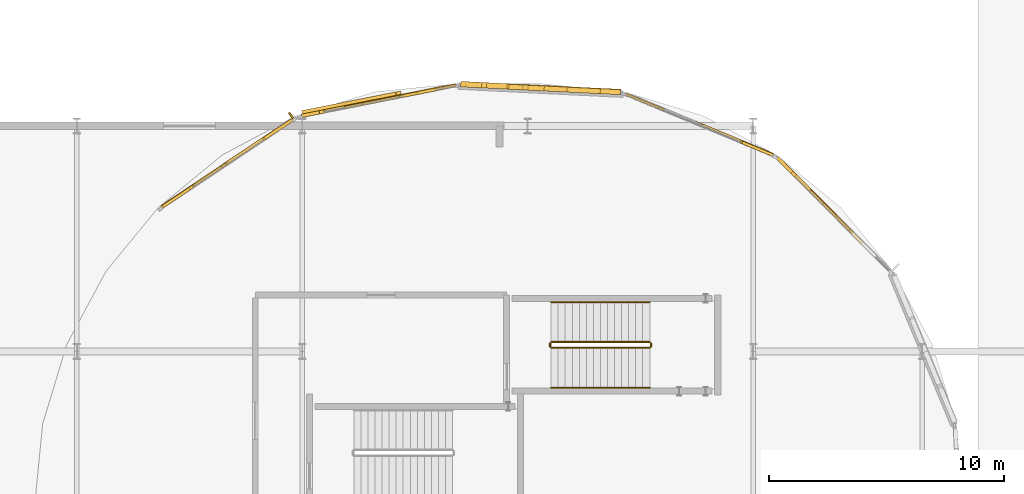
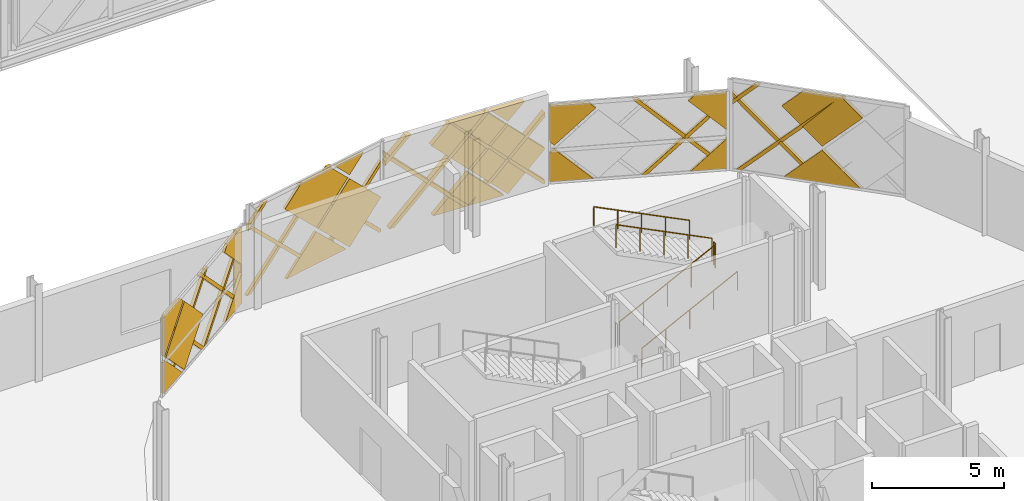
# One storey, part 97 of 101: 38 coverings, 6 railings, 1 shading device.
"""IFC4 building model written with IfcOpenShell, lengths in metres."""

from ifc_helpers import new_model, si_unit, direction, frame, origin, origin_2d, place, context, subcontext, project, spatial, polyline, rectangle, circle, outline, extrude, material, layer, layer_set, type_object, element, save


model = new_model("IFC4")

# Units and contexts
model_context = context("Model", 3, precision=1e-05, world=origin(), true_north=direction((0.0, 1.0)))
body_context = subcontext(model_context, "Body", "Model", "MODEL_VIEW")
ifc_project = project(units=[si_unit("LENGTHUNIT", "METRE"), si_unit("AREAUNIT", "SQUARE_METRE"), si_unit("VOLUMEUNIT", "CUBIC_METRE"), si_unit("PLANEANGLEUNIT", "RADIAN"), si_unit("MASSUNIT", "GRAM", prefix="KILO")], contexts=[model_context])

# Site, building, storey
site_placement = place(None, origin())
site = spatial("IfcSite", under=ifc_project, at=site_placement, CompositionType="ELEMENT")
building_placement = place(site_placement, origin())
building = spatial("IfcBuilding", under=site, at=building_placement, Name="Zevrakil Square Congress Hotel", CompositionType="ELEMENT")
storey_placement = place(building_placement, frame((0.0, 0.0, 5.39990234375)))
storey = spatial("IfcBuildingStorey", under=building, at=storey_placement, Name="L02", CompositionType="ELEMENT", Elevation=5.39990234375)

# Coverings
ifc_material_1 = material(Name="Architectural White Fibre-C GRC", Category="concrete")
ifc_layer_1 = layer(ifc_material_1, 0.06494140625)
ifc_layer_set_1 = layer_set([ifc_layer_1], Name="Architectural White Fibre-C GRC")
covering_type_1 = type_object("IfcCoveringType", Name="COV-DIA-WHITE", PredefinedType="CLADDING", material=ifc_layer_set_1)
covering_1_placement = place(storey_placement, frame((159.57470703125, 41.772705078125, 1.590087890625), z_axis=(0.707106665659, 0.707106665659, 0.000571630288), x_axis=(-0.499716692516, 0.500288319938, -0.707103121302)))
element("IfcCovering", 1, at=covering_1_placement, inside=storey, type_object=covering_type_1, Name="L02 45-degree white GRC diamond facade cassette 2025", PredefinedType="CLADDING", context=body_context, shape_type="SweptSolid", body=[
    extrude(outline(polyline([(0.0, 0.0), (2.1354873428434074, 0.0), (-2.1408116838594893e-05, -2.1354873427360994), (0.0, 0.0)])), origin(), (0.0, 0.0, -1.0), 0.1201171875),
])
covering_2_placement = place(storey_placement, frame((158.44970703125, 42.896240234375, 3.360107421875), z_axis=(0.707106617497, 0.707106617497, 0.000680429432), x_axis=(0.50029208492, -0.499611589952, -0.707174723072)))
element("IfcCovering", 2, at=covering_2_placement, inside=storey, type_object=covering_type_1, Name="L02 45-degree white GRC diamond facade cassette 2027", PredefinedType="CLADDING", context=body_context, shape_type="SweptSolid", body=[
    extrude(outline(polyline([(0.0, 0.0), (2.248507603406695, 2.220446049250313e-16), (2.248318565814274, -2.2487517258246337), (1.116924585546824, -2.24868907420697), (-0.0001553012247416108, -1.131393971343395), (0.0, 0.0)])), origin(), (0.0, 0.0, -1.0), 0.1201171875),
])
covering_3_placement = place(storey_placement, frame((155.571533203125, 44.94970703125, 0.080078125), z_axis=(0.382795141306, 0.923833050208, 0.000612483019), x_axis=(0.923833223489, -0.382795213106, 0.0)))
element("IfcCovering", 3, at=covering_3_placement, inside=storey, type_object=covering_type_1, Name="L02 45-degree white GRC diamond facade cassette 2034", PredefinedType="CLADDING", context=body_context, shape_type="SweptSolid", body=[
    extrude(outline(polyline([(0.0, 0.0), (1.4101402091595991, 0.0), (1.4099694863061665, -1.40991237382908), (0.0, 0.0)])), origin(), (0.0, 0.0, -1.0), 0.1201171875),
])
covering_4_placement = place(storey_placement, frame((150.7578125, 46.9423828125, 1.590087890625), z_axis=(0.382668305028, 0.923885581687, 0.000632675258), x_axis=(-0.653213651655, 0.271041638686, -0.706999544122)))
element("IfcCovering", 4, at=covering_4_placement, inside=storey, type_object=covering_type_1, Name="L02 45-degree white GRC diamond facade cassette 2035", PredefinedType="CLADDING", context=body_context, shape_type="SweptSolid", body=[
    extrude(outline(polyline([(0.0, 0.0), (0.26278808805841847, 0.0), (1.19904918146277, -0.9364673268682675), (-0.0003536241897079684, -2.135506962093702), (0.0, 0.0)])), origin(), (0.0, 0.0, -1.0), 0.1201171875),
])
covering_5_placement = place(storey_placement, frame((155.496826171875, 44.978515625, 3.360107421875), z_axis=(0.382817546413, 0.923823741416, 0.000648810578), x_axis=(0.653443442779, -0.270279755806, -0.707078864548)))
element("IfcCovering", 5, at=covering_5_placement, inside=storey, type_object=covering_type_1, Name="L02 45-degree white GRC diamond facade cassette 2037", PredefinedType="CLADDING", context=body_context, shape_type="SweptSolid", body=[
    extrude(outline(polyline([(0.0, 0.0), (2.1072475580824657, 0.0), (0.880507279922595, -1.226727388350874), (0.00014640534647966663, -0.34643568606719266), (0.0, 0.0)])), origin(), (0.0, 0.0, -1.0), 0.1201171875),
])
covering_6_placement = place(storey_placement, frame((150.7578125, 46.9423828125, 1.77001953125), z_axis=(0.382722562967, 0.923863157597, 0.000553019665), x_axis=(0.653085840149, -0.270972761565, 0.707144007885)))
element("IfcCovering", 6, at=covering_6_placement, inside=storey, type_object=covering_type_1, Name="L02 45-degree white GRC diamond facade cassette 2038", PredefinedType="CLADDING", context=body_context, shape_type="SweptSolid", body=[
    extrude(outline(polyline([(0.0, 0.0), (2.2486055333772246, -2.220446049250313e-16), (2.248557028897188, -0.34636953100214996), (1.1661864412568392, -1.4288545706879838), (4.008075206873851e-05, -0.26272196337427345), (0.0, 0.0)])), origin(), (0.0, 0.0, -1.0), 0.1201171875),
])
covering_7_placement = place(storey_placement, frame((147.110107421875, 47.298828125, 1.590087890625), z_axis=(0.049151356306, 0.998791130207, 0.000649917575), x_axis=(-0.706210781498, 0.035213359349, -0.707125414208)))
element("IfcCovering", 7, at=covering_7_placement, inside=storey, type_object=covering_type_1, Name="L02 45-degree white GRC diamond facade cassette 2043", PredefinedType="CLADDING", context=body_context, shape_type="SweptSolid", body=[
    extrude(outline(polyline([(0.0, 0.0), (2.1354200192556974, -2.220446049250313e-16), (8.904047687163796e-06, -2.135524562479376), (0.0, 0.0)])), origin(), (0.0, 0.0, -1.0), 0.2099609375),
])
covering_8_placement = place(storey_placement, frame((148.7880859375, 47.21533203125, 3.27001953125), z_axis=(0.049138576279, 0.998791783275, 0.000611542293), x_axis=(-0.706234723052, 0.035178295357, -0.707103248112)))
element("IfcCovering", 8, at=covering_8_placement, inside=storey, type_object=covering_type_1, Name="L02 45-degree white GRC diamond facade cassette 2044", PredefinedType="CLADDING", context=body_context, shape_type="SweptSolid", body=[
    extrude(outline(polyline([(0.0, 0.0), (2.2483898335291412, -2.220446049250313e-16), (2.248608699468936, -2.2484946009231703), (0.01403817146647901, -2.2484860454047757), (-0.00011770410608047399, -2.234330033665658), (0.0, 0.0)])), origin(), (0.0, 0.0, -1.0), 0.2099609375),
])
covering_9_placement = place(storey_placement, frame((145.52197265625, 47.3759765625, 3.360107421875), z_axis=(0.049133876747, 0.998792014334, 0.00061176591), x_axis=(0.706256011252, -0.034309946976, -0.707124652454)))
element("IfcCovering", 9, at=covering_9_placement, inside=storey, type_object=covering_type_1, Name="L02 45-degree white GRC diamond facade cassette 2045", PredefinedType="CLADDING", context=body_context, shape_type="SweptSolid", body=[
    extrude(outline(polyline([(0.0, 0.0), (2.248667030731185, -2.220446049250313e-16), (2.2486203790184818, -2.2487348862657144), (1.117204682609686, -2.2487304984043117), (-1.929685187307406e-05, -1.1314496226050137), (0.0, 0.0)])), origin(), (0.0, 0.0, -1.0), 0.2099609375),
])
covering_10_placement = place(storey_placement, frame((148.7880859375, 47.21533203125, 3.4501953125), z_axis=(0.049165929607, 0.998790388169, 0.000686925989), x_axis=(0.706302430086, -0.035254338163, 0.707031830186)))
element("IfcCovering", 10, at=covering_10_placement, inside=storey, type_object=covering_type_1, Name="L02 45-degree white GRC diamond facade cassette 2046", PredefinedType="CLADDING", context=body_context, shape_type="SweptSolid", body=[
    extrude(outline(polyline([(0.0, 0.0), (1.0041428224151794, 1.1102230246251565e-16), (-0.00017843234866121715, -1.0041088527924633), (0.0, 0.0)])), origin(), (0.0, 0.0, -1.0), 0.2099609375),
])
covering_11_placement = place(storey_placement, frame((140.131103515625, 46.746826171875, 1.590087890625), z_axis=(-0.195058894266, 0.98079136516, 0.00057078403), x_axis=(-0.693609627274, -0.137532945708, -0.707099974401)))
element("IfcCovering", 11, at=covering_11_placement, inside=storey, type_object=covering_type_1, Name="L02 45-degree white GRC diamond facade cassette 2052", PredefinedType="CLADDING", context=body_context, shape_type="SweptSolid", body=[
    extrude(outline(polyline([(0.0, 0.0), (2.135496846686384, 0.0), (-0.00010681681684965305, -2.1355632441343193), (0.0, 0.0)])), origin(), (0.0, 0.0, -1.0), 0.1201171875),
])
covering_12_placement = place(storey_placement, frame((141.779052734375, 47.073486328125, 3.27001953125), z_axis=(-0.195079468912, 0.980787246059, 0.000615448987), x_axis=(-0.693619077621, -0.137517756022, -0.707093658534)))
element("IfcCovering", 12, at=covering_12_placement, inside=storey, type_object=covering_type_1, Name="L02 45-degree white GRC diamond facade cassette 2053", PredefinedType="CLADDING", context=body_context, shape_type="SweptSolid", body=[
    extrude(outline(polyline([(0.0, 0.0), (2.2484204226903346, 2.220446049250313e-16), (2.2484102488848645, -2.2486930573161157), (0.013903677204869958, -2.248590339727496), (-0.0002520063888247215, -2.234434136081819), (0.0, 0.0)])), origin(), (0.0, 0.0, -1.0), 0.1201171875),
])
covering_13_placement = place(storey_placement, frame((138.572021484375, 46.435546875, 3.360107421875), z_axis=(-0.195073085856, 0.980788571343, 0.000519130926), x_axis=(0.693388892542, 0.138285282481, -0.707169728105)))
element("IfcCovering", 13, at=covering_13_placement, inside=storey, type_object=covering_type_1, Name="L02 45-degree white GRC diamond facade cassette 2054", PredefinedType="CLADDING", context=body_context, shape_type="SweptSolid", body=[
    extrude(outline(polyline([(0.0, 0.0), (2.248523768750939, -2.220446049250313e-16), (2.248395020755295, -2.2487959639304567), (1.1169038181914794, -2.248643928776531), (-0.00015070511364445593, -1.1313901295236806), (0.0, 0.0)])), origin(), (0.0, 0.0, -1.0), 0.1201171875),
])
covering_14_placement = place(storey_placement, frame((141.779052734375, 47.073486328125, 3.4501953125), z_axis=(-0.194991661754, 0.980804619617, 0.000741609663), x_axis=(0.693684427327, 0.137375289674, 0.707057243136)))
element("IfcCovering", 14, at=covering_14_placement, inside=storey, type_object=covering_type_1, Name="L02 45-degree white GRC diamond facade cassette 2055", PredefinedType="CLADDING", context=body_context, shape_type="SweptSolid", body=[
    extrude(outline(polyline([(0.0, 0.0), (1.0041067316574845, 0.0), (6.387229141713302e-05, -1.0039027449714986), (0.0, 0.0)])), origin(), (0.0, 0.0, -1.0), 0.1201171875),
])
covering_15_placement = place(storey_placement, frame((135.175048828125, 45.122802734375, 0.080078125), z_axis=(-0.555618744269, 0.831436961663, 0.000624337381), x_axis=(0.831437123709, 0.555618852558, 0.0)))
element("IfcCovering", 15, at=covering_15_placement, inside=storey, type_object=covering_type_1, Name="L02 45-degree white GRC diamond facade cassette 2061", PredefinedType="CLADDING", context=body_context, shape_type="SweptSolid", body=[
    extrude(outline(polyline([(0.0, 0.0), (1.4100444252712594, -5.421010862427522e-20), (1.4100434530275447, -1.409912384164952), (0.0, 0.0)])), origin(), (0.0, 0.0, -1.0), 0.1201171875),
])
covering_16_placement = place(storey_placement, frame((130.843505859375, 42.2275390625, 1.590087890625), z_axis=(-0.555667592453, 0.831404395658, 0.000507521546), x_axis=(-0.587379704824, -0.392141973661, -0.707961690244)))
element("IfcCovering", 16, at=covering_16_placement, inside=storey, type_object=covering_type_1, Name="L02 45-degree white GRC diamond facade cassette 2062", PredefinedType="CLADDING", context=body_context, shape_type="SweptSolid", body=[
    extrude(outline(polyline([(0.0, 0.0), (0.10862765643965289, 0.0), (1.1232110195308607, -1.0121327162841918), (0.0025507188075728493, -2.135507933783593), (0.0, 0.0)])), origin(), (0.0, 0.0, -1.0), 0.1201171875),
])
covering_17_placement = place(storey_placement, frame((132.240966796875, 43.159912109375, 3.27001953125), z_axis=(-0.55555024121, 0.831482740783, 0.000617472564), x_axis=(-0.588185262378, -0.392467367136, -0.707112058202)))
element("IfcCovering", 17, at=covering_17_placement, inside=storey, type_object=covering_type_1, Name="L02 45-degree white GRC diamond facade cassette 2063", PredefinedType="CLADDING", context=body_context, shape_type="SweptSolid", body=[
    extrude(outline(polyline([(0.0, 0.0), (2.248361902866824, 2.220446049250313e-16), (2.248471686416851, -2.248631625840853), (-0.00015866845811252084, -2.2485549896661046), (0.0, 0.0)])), origin(), (0.0, 0.0, -1.0), 0.1201171875),
])
covering_18_placement = place(storey_placement, frame((135.109619140625, 45.07666015625, 3.360107421875), z_axis=(-0.555552869225, 0.831480912393, 0.000708393126), x_axis=(0.587658869621, 0.393245934104, -0.707117167283)))
element("IfcCovering", 18, at=covering_18_placement, inside=storey, type_object=covering_type_1, Name="L02 45-degree white GRC diamond facade cassette 2064", PredefinedType="CLADDING", context=body_context, shape_type="SweptSolid", body=[
    extrude(outline(polyline([(0.0, 0.0), (2.1071334372547117, -2.220446049250313e-16), (0.8804282131721635, -1.2267625637639725), (0.00012075748150575105, -0.34642881562083105), (0.0, 0.0)])), origin(), (0.0, 0.0, -1.0), 0.1201171875),
])
covering_19_placement = place(storey_placement, frame((130.84375, 42.227294921875, 1.77001953125), z_axis=(-0.555521398497, 0.831501992633, 0.000641918307), x_axis=(0.588213546432, 0.392435990014, 0.707105945057)))
element("IfcCovering", 19, at=covering_19_placement, inside=storey, type_object=covering_type_1, Name="L02 45-degree white GRC diamond facade cassette 2065", PredefinedType="CLADDING", context=body_context, shape_type="SweptSolid", body=[
    extrude(outline(polyline([(0.0, 0.0), (2.248726157488302, 2.220446049250313e-16), (2.248551706011348, -0.34647715910238275), (1.2432635176521138, -1.35176340074076), (8.36331214456934e-05, -0.10867514631350722), (0.0, 0.0)])), origin(), (0.0, 0.0, -1.0), 0.1201171875),
])
ifc_material_2 = material(Name="Anodised Champagne Aluminium", Category="aluminium")
ifc_layer_2 = layer(ifc_material_2, 0.0849609375)
ifc_layer_set_2 = layer_set([ifc_layer_2], Name="Anodised Champagne Aluminium")
covering_type_2 = type_object("IfcCoveringType", Name="COV-DIAGRID-45", PredefinedType="MOLDING", material=ifc_layer_set_2)
covering_20_placement = place(storey_placement, frame((159.46142578125, 41.922607421875, 0.080078125), z_axis=(0.707174197664, 0.707038993462, 0.000718249503), x_axis=(0.707039175872, -0.707174380038, -6.8667e-08)))
element("IfcCovering", 20, at=covering_20_placement, inside=storey, type_object=covering_type_2, Name="L02 45-degree aluminium diagrid rib 2030", PredefinedType="MOLDING", context=body_context, shape_type="SweptSolid", body=[
    extrude(outline(polyline([(0.0, 0.0), (0.2119939265939422, -4.0657581468206416e-20), (-3.3596203934472175, -3.571778034362391), (-3.359447761892571, -3.3596197619678145), (0.0, 0.0)])), origin(), (0.0, 0.0, -1.0), 0.14501953125),
])
covering_21_placement = place(storey_placement, frame((160.23193359375, 41.148681640625, 4.16015625), z_axis=(0.706530497614, 0.70768119875, 0.001406014672), x_axis=(-0.70768189825, 0.706531195977, 0.0)))
element("IfcCovering", 21, at=covering_21_placement, inside=storey, type_object=covering_type_2, Name="L02 45-degree aluminium diagrid rib 2032", PredefinedType="MOLDING", context=body_context, shape_type="SweptSolid", body=[
    extrude(outline(polyline([(0.0, 0.0), (0.21216663128756907, 0.0), (4.292183252276201, -4.080082157912808), (4.0800166209886335, -4.080082157912808), (0.0, 0.0)])), origin(), (0.0, 0.0, -1.0), 0.14501953125),
])
covering_22_placement = place(storey_placement, frame((157.85595703125, 43.5244140625, 4.16015625), z_axis=(0.707354286034, 0.706859102804, 0.000350446129), x_axis=(-0.706859146169, 0.70735432951, -1.6244e-07)))
element("IfcCovering", 22, at=covering_22_placement, inside=storey, type_object=covering_type_2, Name="L02 45-degree aluminium diagrid rib 2033", PredefinedType="MOLDING", context=body_context, shape_type="SweptSolid", body=[
    extrude(outline(polyline([(0.0, 0.0), (0.2121666084952892, 6.776263578034403e-21), (1.091734518001632, -0.879638548549504), (1.0915619794307716, -1.0917967991946136), (0.0, 0.0)])), origin(), (0.0, 0.0, -1.0), 0.14501953125),
])
covering_23_placement = place(storey_placement, frame((156.80419921875, 44.466064453125, 0.080078125), z_axis=(0.382204930916, 0.924077586162, 7.4403851e-05), x_axis=(0.924077588719, -0.382204931977, 3.1982e-08)))
element("IfcCovering", 23, at=covering_23_placement, inside=storey, type_object=covering_type_2, Name="L02 45-degree aluminium diagrid rib 2039", PredefinedType="MOLDING", context=body_context, shape_type="SweptSolid", body=[
    extrude(outline(polyline([(0.0, 0.0), (0.08614427728008842, 0.0), (0.08614428131681869, -0.12622070277562528), (-3.312680907103824, -3.524902460379656), (-3.5248211271130048, -3.5249024692859123), (0.0, 0.0)])), origin(), (0.0, 0.0, -1.0), 0.14501953125),
])
covering_24_placement = place(storey_placement, frame((156.883056640625, 44.431396484375, 3.154052734375), z_axis=(0.383145200714, 0.923688122272, 8.9127107e-05), x_axis=(-3.4148624e-05, -8.2325651e-05, 0.999999996028)))
element("IfcCovering", 24, at=covering_24_placement, inside=storey, type_object=covering_type_2, Name="L02 45-degree aluminium diagrid rib 2041", PredefinedType="MOLDING", context=body_context, shape_type="SweptSolid", body=[
    extrude(outline(polyline([(0.0, 0.0), (0.21215820228234566, 0.0), (-3.073974621584276, -3.286023861041503), (-3.0739746232695846, -3.073790238611123), (0.0, 0.0)])), origin(), (0.0, 0.0, -1.0), 0.14501953125),
])
covering_25_placement = place(storey_placement, frame((150.281494140625, 47.1689453125, 0.080078125), z_axis=(0.049529132939, 0.99877219538, 0.000983222386), x_axis=(0.998772678075, -0.049529158369, 1.516553e-06)))
element("IfcCovering", 25, at=covering_25_placement, inside=storey, type_object=covering_type_2, Name="L02 45-degree aluminium diagrid rib 2047", PredefinedType="MOLDING", context=body_context, shape_type="SweptSolid", body=[
    extrude(outline(polyline([(0.0, 0.0), (0.08604968445630264, -8.470329472543003e-22), (0.08604987587673787, -0.12622064211440592), (-3.867820289757021, -4.08008602541774), (-4.079994224908121, -4.080086357772881), (0.0, 0.0)])), origin(), (0.0, 0.0, -1.0), 0.235107421875),
])
covering_26_placement = place(storey_placement, frame((146.925537109375, 47.333984375, 0.080078125), z_axis=(0.049022480166, 0.998797571061, 0.000456596975), x_axis=(0.998797675171, -0.049022485371, 2.08465e-07)))
element("IfcCovering", 26, at=covering_26_placement, inside=storey, type_object=covering_type_2, Name="L02 45-degree aluminium diagrid rib 2048", PredefinedType="MOLDING", context=body_context, shape_type="SweptSolid", body=[
    extrude(outline(polyline([(0.0, 0.0), (0.21217391331050317, -8.470329472543003e-22), (-3.3750706355620337, -3.5874034212877794), (-3.37507067978967, -3.375245240278241), (0.0, 0.0)])), origin(), (0.0, 0.0, -1.0), 0.235107421875),
])
covering_27_placement = place(storey_placement, frame((150.367431640625, 47.162841796875, 3.154052734375), z_axis=(0.049040252855, 0.9987965502, 0.000710568895), x_axis=(2.1518568e-05, -0.000712481426, 0.999999745954)))
element("IfcCovering", 27, at=covering_27_placement, inside=storey, type_object=covering_type_2, Name="L02 45-degree aluminium diagrid rib 2049", PredefinedType="MOLDING", context=body_context, shape_type="SweptSolid", body=[
    extrude(outline(polyline([(0.0, 0.0), (0.2121583231726228, -1.6940658945086007e-21), (-3.074160821649964, -3.2858698199459164), (-3.0741487818994955, -3.073695905286189), (0.0, 0.0)])), origin(), (0.0, 0.0, -1.0), 0.235107421875),
])
covering_28_placement = place(storey_placement, frame((148.016357421875, 47.27783203125, 4.16015625), z_axis=(0.049478492881, 0.998775158619, 0.000247524661), x_axis=(-0.998775189215, 0.049478494397, 0.0)))
element("IfcCovering", 28, at=covering_28_placement, inside=storey, type_object=covering_type_2, Name="L02 45-degree aluminium diagrid rib 2050", PredefinedType="MOLDING", context=body_context, shape_type="SweptSolid", body=[
    extrude(outline(polyline([(0.0, 0.0), (0.21217393542432023, -4.235164736271502e-22), (4.292172302621028, -4.080078249990053), (4.0799983671967075, -4.080078249990053), (0.0, 0.0)])), origin(), (0.0, 0.0, -1.0), 0.235107421875),
])
covering_29_placement = place(storey_placement, frame((144.660400390625, 47.44287109375, 4.16015625), z_axis=(0.049036748846, 0.998796724728, 0.000707060483), x_axis=(-0.998796974384, 0.049036761324, -3.12712e-07)))
element("IfcCovering", 29, at=covering_29_placement, inside=storey, type_object=covering_type_2, Name="L02 45-degree aluminium diagrid rib 2051", PredefinedType="MOLDING", context=body_context, shape_type="SweptSolid", body=[
    extrude(outline(polyline([(0.0, 0.0), (0.21217391467341248, 0.0), (1.107320486321167, -0.8952635493895805), (1.1073325245310768, -1.1074218718927338), (0.0, 0.0)])), origin(), (0.0, 0.0, -1.0), 0.235107421875),
])
covering_30_placement = place(storey_placement, frame((143.239013671875, 47.391357421875, 0.080078125), z_axis=(-0.195653419559, 0.98067310498, 2.4176438e-05), x_axis=(0.980673105266, 0.195653419616, 2.031e-09)))
element("IfcCovering", 30, at=covering_30_placement, inside=storey, type_object=covering_type_2, Name="L02 45-degree aluminium diagrid rib 2056", PredefinedType="MOLDING", context=body_context, shape_type="SweptSolid", body=[
    extrude(outline(polyline([(0.0, 0.0), (0.08613598153701889, 5.293955920339377e-23), (0.0861359817933733, -0.12622070308811198), (-3.86773997321389, -4.080078134113084), (-4.079848021803141, -4.080078134648434), (0.0, 0.0)])), origin(), (0.0, 0.0, -1.0), 0.14501953125),
])
covering_31_placement = place(storey_placement, frame((139.943603515625, 46.73583984375, 0.080078125), z_axis=(-0.195127914923, 0.980777634829, 0.000572569883), x_axis=(0.980777795561, 0.195127947087, -3.18457e-07)))
element("IfcCovering", 31, at=covering_31_placement, inside=storey, type_object=covering_type_2, Name="L02 45-degree aluminium diagrid rib 2057", PredefinedType="MOLDING", context=body_context, shape_type="SweptSolid", body=[
    extrude(outline(polyline([(0.0, 0.0), (0.21210801582587138, -3.3881317890172014e-21), (-3.2506161190792406, -3.462890157447962), (-3.2505684128569343, -3.2507318520141797), (0.0, 0.0)])), origin(), (0.0, 0.0, -1.0), 0.14501953125),
])
covering_32_placement = place(storey_placement, frame((143.323974609375, 47.40625, 3.154052734375), z_axis=(-0.195067789965, 0.98078956775, 0.000617341159), x_axis=(0.000120423399, -0.000605481884, 0.999999809445)))
element("IfcCovering", 32, at=covering_32_placement, inside=storey, type_object=covering_type_2, Name="L02 45-degree aluminium diagrid rib 2058", PredefinedType="MOLDING", context=body_context, shape_type="SweptSolid", body=[
    extrude(outline(polyline([(0.0, 0.0), (0.2121581626971784, 0.0), (-3.0739751951365637, -3.286146167485085), (-3.0739752759922143, -3.07403815928914), (0.0, 0.0)])), origin(), (0.0, 0.0, -1.0), 0.14501953125),
])
covering_33_placement = place(storey_placement, frame((141.015380859375, 46.946533203125, 4.16015625), z_axis=(0.194456293238, -0.980911183347, 2.0138761e-05), x_axis=(-0.980911183546, -0.194456293278, 2.252e-09)))
element("IfcCovering", 33, at=covering_33_placement, inside=storey, type_object=covering_type_2, Name="L02 45-degree aluminium diagrid rib 2059", PredefinedType="MOLDING", context=body_context, shape_type="SweptSolid", body=[
    extrude(outline(polyline([(0.0, 0.0), (0.21229989090045664, 0.0), (4.292153171222744, 4.080078135492119), (4.0800927605917074, 4.080078134536578), (0.0, 0.0)])), origin(), (0.0, 0.0, -1.0), 0.14501953125),
])
covering_34_placement = place(storey_placement, frame((137.7197265625, 46.291015625, 4.16015625), z_axis=(-0.194647590389, 0.980873231204, 0.000140939761), x_axis=(-0.980873240946, -0.194647592321, -1.1711e-08)))
element("IfcCovering", 34, at=covering_34_placement, inside=storey, type_object=covering_type_2, Name="L02 45-degree aluminium diagrid rib 2060", PredefinedType="MOLDING", context=body_context, shape_type="SweptSolid", body=[
    extrude(outline(polyline([(0.0, 0.0), (0.21206041122756902, -8.470329472543003e-22), (0.982640785403254, -0.7707519492728759), (0.9828802588938279, -0.9829101569855673), (0.0, 0.0)])), origin(), (0.0, 0.0, -1.0), 0.14501953125),
])
covering_35_placement = place(storey_placement, frame((136.261962890625, 45.879150390625, 0.080078125), z_axis=(-0.556042445787, 0.831153893798, 5.7513233e-05), x_axis=(0.831153895173, 0.556042446706, 2.329e-09)))
element("IfcCovering", 35, at=covering_35_placement, inside=storey, type_object=covering_type_2, Name="L02 45-degree aluminium diagrid rib 2066", PredefinedType="MOLDING", context=body_context, shape_type="SweptSolid", body=[
    extrude(outline(polyline([(0.0, 0.0), (0.0860626003027483, -8.470329472543003e-22), (0.08606260059668401, -0.12622070291624535), (-3.312902807368618, -3.524902357437952), (-3.524978396742125, -3.524902357716777), (0.0, 0.0)])), origin(), (0.0, 0.0, -1.0), 0.14501953125),
])
covering_36_placement = place(storey_placement, frame((133.46826171875, 44.012451171875, 0.080078125), z_axis=(-0.555670733047, 0.831402284225, 0.000527466356), x_axis=(0.831402399815, 0.555670810446, -2.26513e-07)))
element("IfcCovering", 36, at=covering_36_placement, inside=storey, type_object=covering_type_2, Name="L02 45-degree aluminium diagrid rib 2067", PredefinedType="MOLDING", context=body_context, shape_type="SweptSolid", body=[
    extrude(outline(polyline([(0.0, 0.0), (0.21207556985153525, 6.776263578034403e-21), (-3.2507432911529786, -3.4628903703893736), (-3.250607581277489, -3.250732089743871), (0.0, 0.0)])), origin(), (0.0, 0.0, -1.0), 0.14501953125),
])
covering_37_placement = place(storey_placement, frame((136.33447265625, 45.92529296875, 3.154052734375), z_axis=(-0.555802428355, 0.831313919013, 0.000910324556), x_axis=(0.001301222916, -0.00022506649, 0.999999128082)))
element("IfcCovering", 37, at=covering_37_placement, inside=storey, type_object=covering_type_2, Name="L02 45-degree aluminium diagrid rib 2068", PredefinedType="MOLDING", context=body_context, shape_type="SweptSolid", body=[
    extrude(outline(polyline([(0.0, 0.0), (0.21215833582173896, 2.710505431213761e-20), (-3.0771178565600388, -3.282937919317467), (-3.0769150304295576, -3.0708624346794777), (0.0, 0.0)])), origin(), (0.0, 0.0, -1.0), 0.14501953125),
])
covering_38_placement = place(storey_placement, frame((133.916015625, 44.30908203125, 3.60498046875), z_axis=(-0.555364036108, 0.831607287229, 0.000327454505), x_axis=(-0.831607331804, -0.555364065897, 5.2017e-08)))
element("IfcCovering", 38, at=covering_38_placement, inside=storey, type_object=covering_type_2, Name="L02 45-degree aluminium diagrid rib 2069", PredefinedType="MOLDING", context=body_context, shape_type="SweptSolid", body=[
    extrude(outline(polyline([(0.0, 0.0), (0.2122785509576714, 6.776263578034403e-21), (3.7370488929279935, -3.524902727122066), (3.525108958034214, -3.5249027050554265), (0.0, 0.0)])), origin(), (0.0, 0.0, -1.0), 0.14501953125),
])

# Railings
ifc_material_3 = material(Name="Steel S355", Category="steel")
railing_type_1 = type_object("IfcRailingType", Name="RLG-STAIR-GUARD-1100", PredefinedType="BALUSTRADE", material=ifc_material_3)
railing_1_placement = place(storey_placement, frame((147.39990234375, 36.14990234375, 0.150146484375)))
element("IfcRailing", 39, at=railing_1_placement, inside=storey, type_object=railing_type_1, Name="L02 ST03 stair guard 1", PredefinedType="BALUSTRADE", context=body_context, shape_type="SweptSolid", body=[
    extrude(circle(Radius=0.02392578125, at=origin_2d()), frame((0.0, 0.0, 1.076171875), z_axis=(0.894447986312, 0.0, 0.447172002457), x_axis=(0.0, 1.0, 0.0)), (0.0, 0.0, 1.0), 4.69580078125),
    extrude(circle(Radius=0.02099609375, at=origin_2d()), origin(), (0.0, 0.0, 1.0), 1.052001953125),
    extrude(circle(Radius=0.02099609375, at=origin_2d()), frame((1.050048828125, 0.0, 0.52490234375)), (0.0, 0.0, 1.0), 1.052001953125),
    extrude(circle(Radius=0.02099609375, at=origin_2d()), frame((2.10009765625, 0.0, 1.0498046875)), (0.0, 0.0, 1.0), 1.052001953125),
    extrude(circle(Radius=0.02099609375, at=origin_2d()), frame((3.150146484375, 0.0, 1.574951171875)), (0.0, 0.0, 1.0), 1.052001953125),
    extrude(circle(Radius=0.02099609375, at=origin_2d()), frame((4.2001953125, 0.0, 2.099853515625)), (0.0, 0.0, 1.0), 1.052001953125),
])
railing_2_placement = place(storey_placement, frame((151.64990234375, 36.199951171875, 2.25)))
element("IfcRailing", 40, at=railing_2_placement, inside=storey, type_object=railing_type_1, Name="L02 ST03 stair guard 2", PredefinedType="BALUSTRADE", context=body_context, shape_type="SweptSolid", body=[
    extrude(circle(Radius=0.02392578125, at=origin_2d()), frame((0.0, 0.0, 1.076171875), z_axis=(0.0, 1.0, 0.0), x_axis=(-1.0, 0.0, 0.0)), (0.0, 0.0, 1.0), 0.150146484375),
    extrude(circle(Radius=0.02099609375, at=origin_2d()), origin(), (0.0, 0.0, 1.0), 1.052001953125),
    extrude(circle(Radius=0.02099609375, at=origin_2d()), frame((0.0, 0.150146484375, 0.0)), (0.0, 0.0, 1.0), 1.052001953125),
])
railing_3_placement = place(storey_placement, frame((151.60009765625, 36.39990234375, 2.400146484375)))
element("IfcRailing", 41, at=railing_3_placement, inside=storey, type_object=railing_type_1, Name="L02 ST03 stair guard 3", PredefinedType="BALUSTRADE", context=body_context, shape_type="SweptSolid", body=[
    extrude(circle(Radius=0.02392578125, at=origin_2d()), frame((0.0, 0.0, 1.076171875), z_axis=(-0.894447986312, 0.0, 0.447172002457), x_axis=(0.0, -1.0, 0.0)), (0.0, 0.0, 1.0), 4.69580078125),
    extrude(circle(Radius=0.02099609375, at=origin_2d()), origin(), (0.0, 0.0, 1.0), 1.052001953125),
    extrude(circle(Radius=0.02099609375, at=origin_2d()), frame((-1.050048828125, 0.0, 0.52490234375)), (0.0, 0.0, 1.0), 1.052001953125),
    extrude(circle(Radius=0.02099609375, at=origin_2d()), frame((-2.10009765625, 0.0, 1.0498046875)), (0.0, 0.0, 1.0), 1.052001953125),
    extrude(circle(Radius=0.02099609375, at=origin_2d()), frame((-3.150146484375, 0.0, 1.574951171875)), (0.0, 0.0, 1.0), 1.052001953125),
    extrude(circle(Radius=0.02099609375, at=origin_2d()), frame((-4.2001953125, 0.0, 2.099853515625)), (0.0, 0.0, 1.0), 1.052001953125),
])
railing_4_placement = place(storey_placement, frame((147.35009765625, 36.199951171875, 0.0)))
element("IfcRailing", 42, at=railing_4_placement, inside=storey, type_object=railing_type_1, Name="L02 ST03 stair guard 4", PredefinedType="BALUSTRADE", context=body_context, shape_type="SweptSolid", body=[
    extrude(circle(Radius=0.02392578125, at=origin_2d()), frame((0.0, 0.0, 1.076171875), z_axis=(0.0, 1.0, 0.0), x_axis=(-1.0, 0.0, 0.0)), (0.0, 0.0, 1.0), 0.150146484375),
    extrude(circle(Radius=0.02099609375, at=origin_2d()), origin(), (0.0, 0.0, 1.0), 1.052001953125),
    extrude(circle(Radius=0.02099609375, at=origin_2d()), frame((0.0, 0.150146484375, 0.0)), (0.0, 0.0, 1.0), 1.052001953125),
])
ifc_material_4 = material(Name="Steel S355", Category="steel")
railing_type_2 = type_object("IfcRailingType", Name="RLG-STAIR-HAND-900", PredefinedType="HANDRAIL", material=ifc_material_4)
railing_5_placement = place(storey_placement, frame((147.39990234375, 34.449951171875, 0.150146484375)))
element("IfcRailing", 43, at=railing_5_placement, inside=storey, type_object=railing_type_2, Name="L02 ST03 stair handrail 1", PredefinedType="HANDRAIL", context=body_context, shape_type="SweptSolid", body=[
    extrude(circle(Radius=0.02392578125, at=origin_2d()), frame((0.0, 0.0, 0.8759765625), z_axis=(0.894447986312, 0.0, 0.447172002457), x_axis=(0.0, 1.0, 0.0)), (0.0, 0.0, 1.0), 4.69580078125),
    extrude(circle(Radius=0.02099609375, at=origin_2d()), origin(), (0.0, 0.0, 1.0), 0.851806640625),
    extrude(circle(Radius=0.02099609375, at=origin_2d()), frame((1.050048828125, 0.0, 0.52490234375)), (0.0, 0.0, 1.0), 0.851806640625),
    extrude(circle(Radius=0.02099609375, at=origin_2d()), frame((2.10009765625, 0.0, 1.0498046875)), (0.0, 0.0, 1.0), 0.851806640625),
    extrude(circle(Radius=0.02099609375, at=origin_2d()), frame((3.150146484375, 0.0, 1.574951171875)), (0.0, 0.0, 1.0), 0.851806640625),
    extrude(circle(Radius=0.02099609375, at=origin_2d()), frame((4.2001953125, 0.0, 2.099853515625)), (0.0, 0.0, 1.0), 0.851806640625),
])
railing_6_placement = place(storey_placement, frame((151.60009765625, 38.10009765625, 2.400146484375)))
element("IfcRailing", 44, at=railing_6_placement, inside=storey, type_object=railing_type_2, Name="L02 ST03 stair handrail 2", PredefinedType="HANDRAIL", context=body_context, shape_type="SweptSolid", body=[
    extrude(circle(Radius=0.02392578125, at=origin_2d()), frame((0.0, 0.0, 0.8759765625), z_axis=(-0.894447986312, 0.0, 0.447172002457), x_axis=(0.0, -1.0, 0.0)), (0.0, 0.0, 1.0), 4.69580078125),
    extrude(circle(Radius=0.02099609375, at=origin_2d()), origin(), (0.0, 0.0, 1.0), 0.851806640625),
    extrude(circle(Radius=0.02099609375, at=origin_2d()), frame((-1.050048828125, 0.0, 0.52490234375)), (0.0, 0.0, 1.0), 0.851806640625),
    extrude(circle(Radius=0.02099609375, at=origin_2d()), frame((-2.10009765625, 0.0, 1.0498046875)), (0.0, 0.0, 1.0), 0.851806640625),
    extrude(circle(Radius=0.02099609375, at=origin_2d()), frame((-3.150146484375, 0.0, 1.574951171875)), (0.0, 0.0, 1.0), 0.851806640625),
    extrude(circle(Radius=0.02099609375, at=origin_2d()), frame((-4.2001953125, 0.0, 2.099853515625)), (0.0, 0.0, 1.0), 0.851806640625),
])

# Shading device
ifc_material_5 = material(Name="Aluminium Anodised Bronze", Category="aluminium")
shading_device_type = type_object("IfcShadingDeviceType", Name="SHD-FIN-35", PredefinedType="JALOUSIE", material=ifc_material_5)
shading_device_placement = place(storey_placement, frame((136.341796875, 46.022705078125, 0.342529296875), z_axis=(0.0, 0.0, 1.0), x_axis=(-0.555584744817, 0.831459915646, 0.0)))
element("IfcShadingDevice", 45, at=shading_device_placement, inside=storey, type_object=shading_device_type, Name="L02 aluminium solar shading fin 115", PredefinedType="JALOUSIE", context=body_context, shape_type="SweptSolid", body=[
    extrude(rectangle(XDim=0.35009765625, YDim=0.080078125, at=origin_2d()), origin(), (0.0, 0.0, 1.0), 3.0),
])

save(model, "model.ifc")
